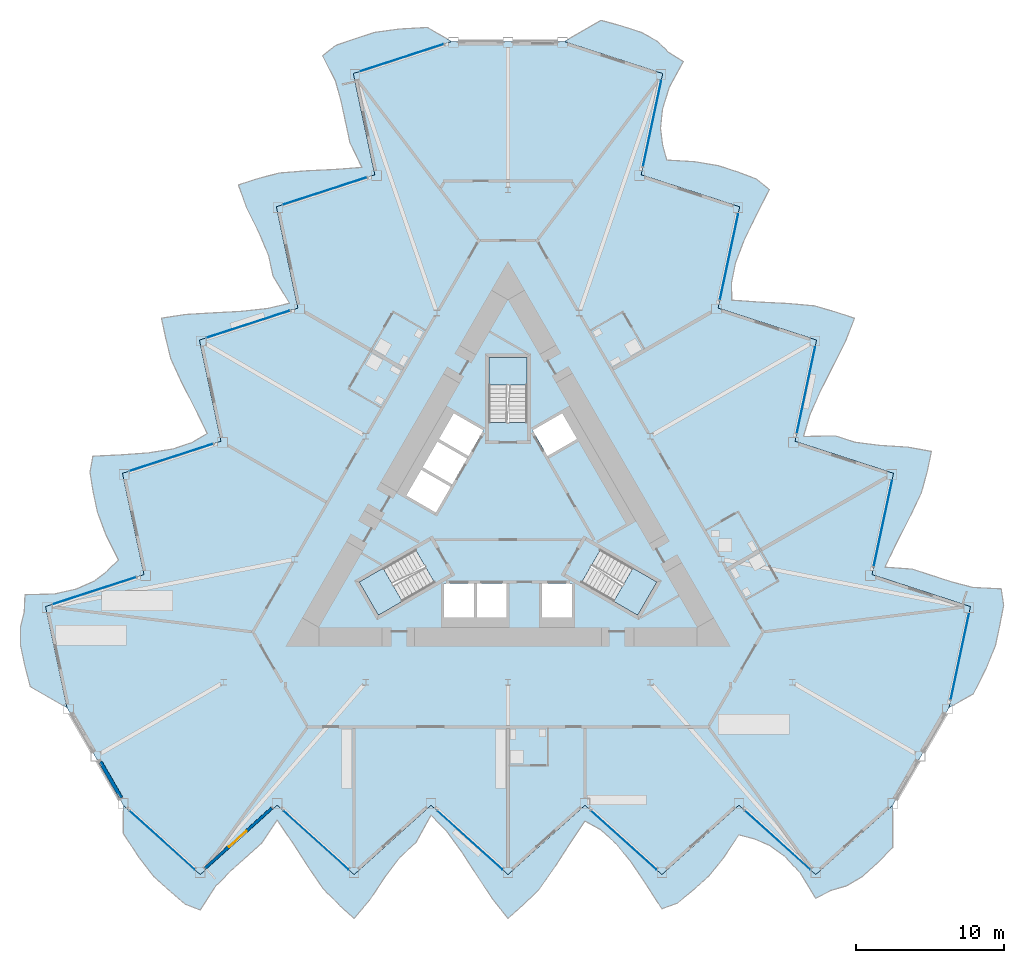
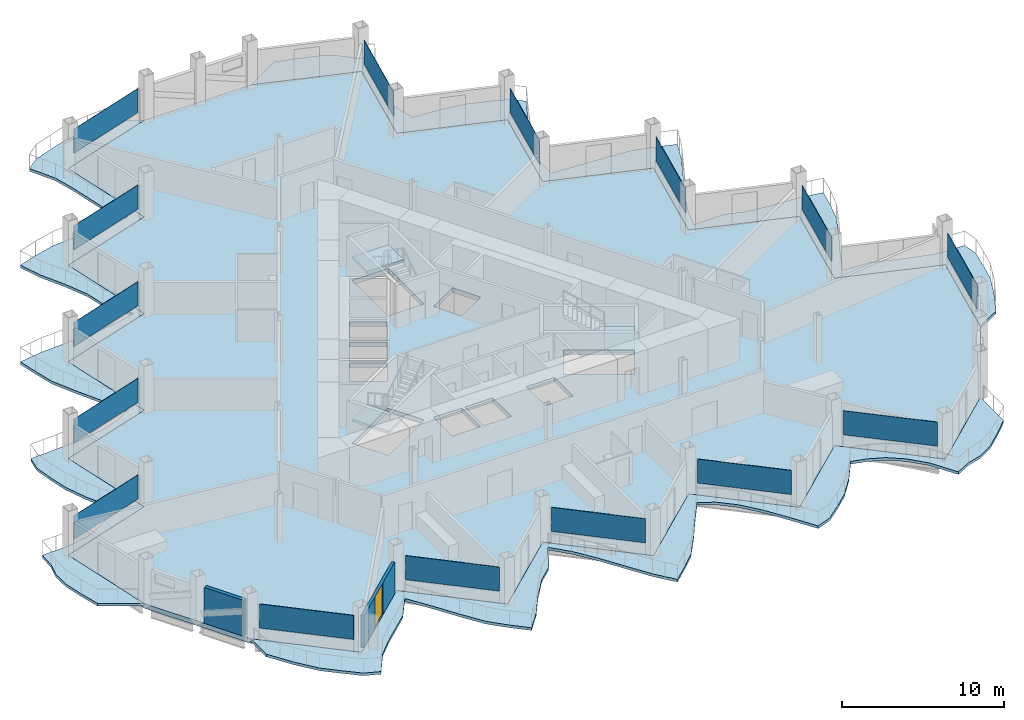
# One storey, part 10 of 24: 15 plates, 7 slabs, 2 walls, 1 door, 1 opening, 18 elements without a shape of their own.
"""IFC4 building model written with IfcOpenShell, lengths in metres."""

from ifc_helpers import new_model, si_unit, direction, frame, frame_2d, origin, origin_2d, place, context, subcontext, project, spatial, polyline, rectangle, outline, extrude, material, layer, layer_set, type_object, element, fill, aggregate, save


model = new_model("IFC4")

# Units and contexts
model_context = context("Model", 3, precision=1e-05, world=origin(), true_north=direction((0.0, 1.0)))
body_context = subcontext(model_context, "Body", "Model", "MODEL_VIEW")
ifc_project = project(units=[si_unit("LENGTHUNIT", "METRE"), si_unit("AREAUNIT", "SQUARE_METRE"), si_unit("VOLUMEUNIT", "CUBIC_METRE"), si_unit("PLANEANGLEUNIT", "RADIAN"), si_unit("MASSUNIT", "GRAM", prefix="KILO")], contexts=[model_context])

# Site, building, storey
site_placement = place(None, origin())
site = spatial("IfcSite", under=ifc_project, at=site_placement, CompositionType="ELEMENT")
building_placement = place(site_placement, origin())
building = spatial("IfcBuilding", under=site, at=building_placement, Name="Cormorant Prow Tower", CompositionType="ELEMENT")
storey_placement = place(building_placement, frame((0.0, 0.0, 274.199951171875)))
storey = spatial("IfcBuildingStorey", under=building, at=storey_placement, Name="L62", CompositionType="ELEMENT", Elevation=274.199951171875)

# Slabs
ifc_material_1 = material(Name="Concrete C40/50", Category="concrete")
ifc_layer_1 = layer(ifc_material_1, 0.199951171875)
ifc_layer_set_1 = layer_set([ifc_layer_1], Name="Concrete C40/50")
slab_type_1 = type_object("IfcSlabType", Name="Balcony slab 200", PredefinedType="FLOOR", material=ifc_layer_set_1)
slab_1_placement = place(storey_placement, frame((0.0, 0.0, -0.199951171875)))
element("IfcSlab", 1, at=slab_1_placement, inside=storey, type_object=slab_type_1, Name="Balcony slab S L62", PredefinedType="FLOOR", context=body_context, shape_type="SweptSolid", body=[
    extrude(outline(polyline([(-25.926025390625, -19.346435546875), (-25.926025390625, -21.24658203125), (-24.888916015625, -22.83154296875), (-23.85205078125, -24.1640625), (-22.81494140625, -25.097900390625), (-21.77783203125, -25.998046875), (-20.740966796875, -26.40380859375), (-19.703857421875, -24.799072265625), (-18.666748046875, -23.747802734375), (-17.629638671875, -22.81396484375), (-16.5927734375, -21.88037109375), (-15.5556640625, -20.34716796875), (-14.5185546875, -21.86474609375), (-13.4814453125, -23.474853515625), (-12.444580078125, -24.979248046875), (-11.407470703125, -26.031494140625), (-10.370361328125, -26.96533203125), (-9.33349609375, -25.74462890625), (-8.29638671875, -24.183349609375), (-7.25927734375, -22.81396484375), (-6.22216796875, -21.88037109375), (-5.185302734375, -19.997314453125), (-4.148193359375, -21.0908203125), (-3.111083984375, -22.50341796875), (-2.073974609375, -24.094970703125), (-1.037109375, -25.672607421875), (0.0, -26.96533203125), (1.037109375, -26.031494140625), (2.073974609375, -25.0361328125), (3.111083984375, -23.558837890625), (4.148193359375, -21.951416015625), (5.185302734375, -20.410888671875), (6.22216796875, -20.982666015625), (7.25927734375, -21.9052734375), (8.29638671875, -23.181640625), (9.33349609375, -24.7119140625), (10.370361328125, -26.321044921875), (11.407470703125, -25.94384765625), (12.444580078125, -25.097900390625), (13.4814453125, -24.1640625), (14.5185546875, -22.905517578125), (15.5556640625, -21.335205078125), (16.5927734375, -21.6064453125), (17.629638671875, -22.045654296875), (18.666748046875, -22.7978515625), (19.703857421875, -23.916015625), (20.740966796875, -25.615234375), (21.77783203125, -25.07568359375), (22.81494140625, -24.777587890625), (23.85205078125, -24.1640625), (24.888916015625, -23.230224609375), (25.926025390625, -22.205322265625), (25.926025390625, -19.346435546875), (24.888916015625, -20.2802734375), (23.85205078125, -21.214111328125), (22.81494140625, -22.147705078125), (21.77783203125, -23.08154296875), (20.740966796875, -24.015380859375), (19.703857421875, -23.08154296875), (18.666748046875, -22.147705078125), (17.629638671875, -21.214111328125), (16.5927734375, -20.2802734375), (15.5556640625, -19.346435546875), (14.5185546875, -20.2802734375), (13.4814453125, -21.214111328125), (12.444580078125, -22.147705078125), (11.407470703125, -23.08154296875), (10.370361328125, -24.015380859375), (9.33349609375, -23.08154296875), (8.29638671875, -22.147705078125), (7.25927734375, -21.214111328125), (6.22216796875, -20.2802734375), (5.185302734375, -19.346435546875), (4.148193359375, -20.2802734375), (3.111083984375, -21.214111328125), (2.073974609375, -22.147705078125), (1.037109375, -23.08154296875), (0.0, -24.015380859375), (-1.037109375, -23.08154296875), (-2.073974609375, -22.147705078125), (-3.111083984375, -21.214111328125), (-4.148193359375, -20.2802734375), (-5.185302734375, -19.346435546875), (-6.22216796875, -20.2802734375), (-7.25927734375, -21.214111328125), (-8.29638671875, -22.147705078125), (-9.33349609375, -23.08154296875), (-10.370361328125, -24.015380859375), (-11.407470703125, -23.08154296875), (-12.444580078125, -22.147705078125), (-13.4814453125, -21.214111328125), (-14.5185546875, -20.2802734375), (-15.5556640625, -19.346435546875), (-16.5927734375, -20.2802734375), (-17.629638671875, -21.214111328125), (-18.666748046875, -22.147705078125), (-19.703857421875, -23.08154296875), (-20.740966796875, -24.015380859375), (-21.77783203125, -23.08154296875), (-22.81494140625, -22.147705078125), (-23.85205078125, -21.214111328125), (-24.888916015625, -20.2802734375), (-25.926025390625, -19.346435546875)])), origin(), (0.0, 0.0, 1.0), 0.199951171875),
])
slab_2_placement = place(storey_placement, frame((0.0, 0.0, -0.199951171875)))
element("IfcSlab", 2, at=slab_2_placement, inside=storey, type_object=slab_type_1, Name="Balcony slab ENE L62", PredefinedType="FLOOR", context=body_context, shape_type="SweptSolid", body=[
    extrude(outline(polyline([(29.717529296875, -12.779296875), (31.363037109375, -11.829345703125), (32.21728515625, -10.138671875), (32.8525390625, -8.574462890625), (33.142822265625, -7.20947265625), (33.40380859375, -5.861083984375), (33.23681640625, -4.76025390625), (31.32861328125, -4.664306640625), (29.899658203125, -4.2919921875), (28.572509765625, -3.86083984375), (27.2451171875, -3.429443359375), (25.39892578125, -3.298095703125), (26.19482421875, -1.64111328125), (27.070556640625, 0.06201171875), (27.85498046875, 1.71240234375), (28.247802734375, 3.13671875), (28.537841796875, 4.501708984375), (26.962158203125, 4.789306640625), (25.091552734375, 4.906982421875), (23.38720703125, 5.120361328125), (22.06005859375, 5.551513671875), (19.910888671875, 5.508056640625), (20.33935546875, 6.953125), (21.044189453125, 8.557373046875), (21.90380859375, 10.251220703125), (22.75146484375, 11.938232421875), (23.3525390625, 13.482666015625), (22.025390625, 13.913818359375), (20.644775390625, 14.314208984375), (18.84716796875, 14.473876953125), (16.9365234375, 14.568115234375), (15.083740234375, 14.696044921875), (15.060546875, 15.8798828125), (15.3408203125, 17.2392578125), (15.927734375, 18.775634765625), (16.734375, 20.43896484375), (17.609375, 22.1416015625), (16.76416015625, 22.85107421875), (15.51318359375, 23.326171875), (14.185791015625, 23.75732421875), (12.57763671875, 24.0263671875), (10.698974609375, 24.13916015625), (10.415283203125, 25.1728515625), (10.27734375, 26.29052734375), (10.41015625, 27.564697265625), (10.85986328125, 29.02197265625), (11.81298828125, 30.769775390625), (10.8271484375, 31.39794921875), (10.050537109375, 32.14697265625), (9.000732421875, 32.738525390625), (7.673583984375, 33.169677734375), (6.267333984375, 33.55517578125), (3.79150390625, 32.1259765625), (5.11865234375, 31.694580078125), (6.44580078125, 31.263427734375), (7.773193359375, 30.832275390625), (9.100341796875, 30.40087890625), (10.427490234375, 29.9697265625), (10.13720703125, 28.604736328125), (9.84716796875, 27.23974609375), (9.55712890625, 25.874755859375), (9.266845703125, 24.509765625), (8.976806640625, 23.144775390625), (10.303955078125, 22.713623046875), (11.631103515625, 22.282470703125), (12.958251953125, 21.85107421875), (14.285400390625, 21.419921875), (15.612548828125, 20.98876953125), (15.322509765625, 19.623779296875), (15.032470703125, 18.2587890625), (14.7421875, 16.893798828125), (14.4521484375, 15.52880859375), (14.161865234375, 14.163818359375), (15.4892578125, 13.732666015625), (16.81640625, 13.30126953125), (18.1435546875, 12.8701171875), (19.470703125, 12.43896484375), (20.7978515625, 12.007568359375), (20.5078125, 10.642578125), (20.217529296875, 9.277587890625), (19.927490234375, 7.91259765625), (19.63720703125, 6.547607421875), (19.34716796875, 5.1826171875), (20.67431640625, 4.75146484375), (22.00146484375, 4.3203125), (23.32861328125, 3.88916015625), (24.656005859375, 3.457763671875), (25.983154296875, 3.026611328125), (25.69287109375, 1.66162109375), (25.40283203125, 0.296630859375), (25.112548828125, -1.068359375), (24.822509765625, -2.433349609375), (24.532470703125, -3.79833984375), (25.859619140625, -4.2294921875), (27.186767578125, -4.660888671875), (28.513916015625, -5.092041015625), (29.841064453125, -5.523193359375), (31.168212890625, -5.954345703125), (30.878173828125, -7.3193359375), (30.588134765625, -8.684326171875), (30.2978515625, -10.04931640625), (30.0078125, -11.414306640625), (29.717529296875, -12.779296875)])), origin(), (0.0, 0.0, 1.0), 0.199951171875),
])
slab_3_placement = place(storey_placement, frame((0.0, 0.0, -0.199951171875)))
element("IfcSlab", 3, at=slab_3_placement, inside=storey, type_object=slab_type_1, Name="Balcony slab WNW L62", PredefinedType="FLOOR", context=body_context, shape_type="SweptSolid", body=[
    extrude(outline(polyline([(-3.79150390625, 32.1259765625), (-5.43701171875, 33.075927734375), (-7.328125, 32.97021484375), (-9.000732421875, 32.738525390625), (-10.327880859375, 32.30712890625), (-11.6259765625, 31.859130859375), (-12.49609375, 31.1640625), (-11.624755859375, 29.463623046875), (-11.23291015625, 28.039794921875), (-10.942626953125, 26.6748046875), (-10.652587890625, 25.309814453125), (-9.84326171875, 23.64501953125), (-11.67626953125, 23.505859375), (-13.589111328125, 23.412841796875), (-15.410400390625, 23.266845703125), (-16.84033203125, 22.89501953125), (-18.16748046875, 22.463623046875), (-17.62890625, 20.955322265625), (-16.79541015625, 19.276611328125), (-16.1279296875, 17.69384765625), (-15.837646484375, 16.328857421875), (-14.7255859375, 14.4892578125), (-16.191162109375, 14.137939453125), (-17.93310546875, 13.946044921875), (-19.829833984375, 13.84375), (-21.714599609375, 13.734375), (-23.3525390625, 13.482666015625), (-23.0625, 12.11767578125), (-22.718994140625, 10.721923828125), (-21.958251953125, 9.085205078125), (-21.08447265625, 7.38330078125), (-20.26904296875, 5.71484375), (-21.28271484375, 5.102783203125), (-22.60009765625, 4.665771484375), (-24.22412109375, 4.406005859375), (-26.06787109375, 4.27294921875), (-27.97998046875, 4.179443359375), (-28.171630859375, 3.0927734375), (-27.95751953125, 1.771728515625), (-27.66748046875, 0.40673828125), (-27.09619140625, -1.12060546875), (-26.254638671875, -2.803955078125), (-27.008056640625, -3.56640625), (-27.906982421875, -4.244873046875), (-29.076904296875, -4.76708984375), (-30.563720703125, -5.10595703125), (-32.553955078125, -5.154541015625), (-32.605224609375, -6.322265625), (-32.865478515625, -7.36962890625), (-32.8525390625, -8.574462890625), (-32.5625, -9.939453125), (-32.193359375, -11.349853515625), (-29.717529296875, -12.779296875), (-30.0078125, -11.414306640625), (-30.2978515625, -10.04931640625), (-30.588134765625, -8.684326171875), (-30.878173828125, -7.3193359375), (-31.168212890625, -5.954345703125), (-29.841064453125, -5.523193359375), (-28.513916015625, -5.092041015625), (-27.186767578125, -4.660888671875), (-25.859619140625, -4.2294921875), (-24.532470703125, -3.79833984375), (-24.822509765625, -2.433349609375), (-25.112548828125, -1.068359375), (-25.40283203125, 0.296630859375), (-25.69287109375, 1.66162109375), (-25.983154296875, 3.026611328125), (-24.656005859375, 3.457763671875), (-23.32861328125, 3.88916015625), (-22.00146484375, 4.3203125), (-20.67431640625, 4.75146484375), (-19.34716796875, 5.1826171875), (-19.63720703125, 6.547607421875), (-19.927490234375, 7.91259765625), (-20.217529296875, 9.277587890625), (-20.5078125, 10.642578125), (-20.7978515625, 12.007568359375), (-19.470703125, 12.43896484375), (-18.1435546875, 12.8701171875), (-16.81640625, 13.30126953125), (-15.4892578125, 13.732666015625), (-14.161865234375, 14.163818359375), (-14.4521484375, 15.52880859375), (-14.7421875, 16.893798828125), (-15.032470703125, 18.2587890625), (-15.322509765625, 19.623779296875), (-15.612548828125, 20.98876953125), (-14.285400390625, 21.419921875), (-12.958251953125, 21.85107421875), (-11.631103515625, 22.282470703125), (-10.303955078125, 22.713623046875), (-8.976806640625, 23.144775390625), (-9.266845703125, 24.509765625), (-9.55712890625, 25.874755859375), (-9.84716796875, 27.23974609375), (-10.13720703125, 28.604736328125), (-10.427490234375, 29.9697265625), (-9.100341796875, 30.40087890625), (-7.773193359375, 30.832275390625), (-6.44580078125, 31.263427734375), (-5.11865234375, 31.694580078125), (-3.79150390625, 32.1259765625)])), origin(), (0.0, 0.0, 1.0), 0.199951171875),
])

# Curtain wall, plate
ifc_material_2 = material(Name="Aluminium 6063-T6", Category="aluminium")
ifc_layer_2 = layer(ifc_material_2, 0.179931640625)
ifc_layer_set_2 = layer_set([ifc_layer_2], Name="Aluminium 6063-T6")
curtain_wall_type = type_object("IfcCurtainWallType", Name="Hotel unitised curtain wall 180", PredefinedType="NOTDEFINED", material=ifc_layer_set_2)
curtain_wall_1_placement = place(storey_placement, origin())
curtain_wall_1 = element("IfcCurtainWall", 4, at=curtain_wall_1_placement, inside=storey, type_object=curtain_wall_type, Name="Hotel curtain wall S00", PredefinedType="NOTDEFINED")
ifc_material_3 = material(Name="Clear glass", Category="glass")
ifc_layer_3 = layer(ifc_material_3, 0.028076171875)
ifc_layer_set_3 = layer_set([ifc_layer_3], Name="Clear glass")
plate_type = type_object("IfcPlateType", Name="Hotel glass panel 28", PredefinedType="CURTAIN_PANEL", material=ifc_layer_set_3)
plate_1_placement = place(storey_placement, frame((-23.31103515625, -21.700927734375, 0.900146484375), z_axis=(0.0, 0.0, 1.0), x_axis=(0.743144822266, -0.669130609926, 0.0)))
plate_1 = element("IfcPlate", 5, at=plate_1_placement, type_object=plate_type, Name="Hotel glass panel S00", PredefinedType="CURTAIN_PANEL", context=body_context, shape_type="SweptSolid", body=[
    extrude(rectangle(XDim=5.915283203125, YDim=0.028076171875, at=origin_2d()), origin(), (0.0, 0.0, 1.0), 1.80078125),
])
aggregate(curtain_wall_1, [plate_1])

curtain_wall_2_placement = place(storey_placement, origin())
curtain_wall_2 = element("IfcCurtainWall", 6, at=curtain_wall_2_placement, inside=storey, type_object=curtain_wall_type, Name="Hotel curtain wall S02", PredefinedType="NOTDEFINED")
plate_2_placement = place(storey_placement, frame((-12.940673828125, -21.700927734375, 0.900146484375), z_axis=(0.0, 0.0, 1.0), x_axis=(0.743144886439, -0.669130538654, 0.0)))
plate_2 = element("IfcPlate", 7, at=plate_2_placement, type_object=plate_type, Name="Hotel glass panel S02", PredefinedType="CURTAIN_PANEL", context=body_context, shape_type="SweptSolid", body=[
    extrude(rectangle(XDim=5.915283203125, YDim=0.028076171875, at=origin_2d()), origin(), (0.0, 0.0, 1.0), 1.80078125),
])
aggregate(curtain_wall_2, [plate_2])

curtain_wall_3_placement = place(storey_placement, origin())
curtain_wall_3 = element("IfcCurtainWall", 8, at=curtain_wall_3_placement, inside=storey, type_object=curtain_wall_type, Name="Hotel curtain wall S04", PredefinedType="NOTDEFINED")
plate_3_placement = place(storey_placement, frame((-2.5703125, -21.700927734375, 0.900146484375), z_axis=(0.0, 0.0, 1.0), x_axis=(0.743144822266, -0.669130609926, 0.0)))
plate_3 = element("IfcPlate", 9, at=plate_3_placement, type_object=plate_type, Name="Hotel glass panel S04", PredefinedType="CURTAIN_PANEL", context=body_context, shape_type="SweptSolid", body=[
    extrude(rectangle(XDim=5.915283203125, YDim=0.028076171875, at=origin_2d()), origin(), (0.0, 0.0, 1.0), 1.80078125),
])
aggregate(curtain_wall_3, [plate_3])

curtain_wall_4_placement = place(storey_placement, origin())
curtain_wall_4 = element("IfcCurtainWall", 10, at=curtain_wall_4_placement, inside=storey, type_object=curtain_wall_type, Name="Hotel curtain wall S06", PredefinedType="NOTDEFINED")
plate_4_placement = place(storey_placement, frame((7.800048828125, -21.700927734375, 0.900146484375), z_axis=(0.0, 0.0, 1.0), x_axis=(0.743144822266, -0.669130609926, 0.0)))
plate_4 = element("IfcPlate", 11, at=plate_4_placement, type_object=plate_type, Name="Hotel glass panel S06", PredefinedType="CURTAIN_PANEL", context=body_context, shape_type="SweptSolid", body=[
    extrude(rectangle(XDim=5.915283203125, YDim=0.028076171875, at=origin_2d()), origin(), (0.0, 0.0, 1.0), 1.80078125),
])
aggregate(curtain_wall_4, [plate_4])

curtain_wall_5_placement = place(storey_placement, origin())
curtain_wall_5 = element("IfcCurtainWall", 12, at=curtain_wall_5_placement, inside=storey, type_object=curtain_wall_type, Name="Hotel curtain wall S08", PredefinedType="NOTDEFINED")
plate_5_placement = place(storey_placement, frame((18.170654296875, -21.700927734375, 0.900146484375), z_axis=(0.0, 0.0, 1.0), x_axis=(0.743144822266, -0.669130609926, 0.0)))
plate_5 = element("IfcPlate", 13, at=plate_5_placement, type_object=plate_type, Name="Hotel glass panel S08", PredefinedType="CURTAIN_PANEL", context=body_context, shape_type="SweptSolid", body=[
    extrude(rectangle(XDim=5.915283203125, YDim=0.028076171875, at=origin_2d()), origin(), (0.0, 0.0, 1.0), 1.80078125),
])
aggregate(curtain_wall_5, [plate_5])

curtain_wall_6_placement = place(storey_placement, origin())
curtain_wall_6 = element("IfcCurtainWall", 14, at=curtain_wall_6_placement, inside=storey, type_object=curtain_wall_type, Name="Hotel curtain wall ENE00", PredefinedType="NOTDEFINED")
plate_6_placement = place(storey_placement, frame((30.44921875, -9.337646484375, 0.900146484375), z_axis=(0.0, 0.0, 1.0), x_axis=(0.207911705739, 0.978147597562, 0.0)))
plate_6 = element("IfcPlate", 15, at=plate_6_placement, type_object=plate_type, Name="Hotel glass panel ENE00", PredefinedType="CURTAIN_PANEL", context=body_context, shape_type="SweptSolid", body=[
    extrude(rectangle(XDim=5.915283203125, YDim=0.028076171875, at=origin_2d()), origin(), (0.0, 0.0, 1.0), 1.80078125),
])
aggregate(curtain_wall_6, [plate_6])

curtain_wall_7_placement = place(storey_placement, origin())
curtain_wall_7 = element("IfcCurtainWall", 16, at=curtain_wall_7_placement, inside=storey, type_object=curtain_wall_type, Name="Hotel curtain wall ENE02", PredefinedType="NOTDEFINED")
plate_7_placement = place(storey_placement, frame((25.263916015625, -0.3564453125, 0.900146484375), z_axis=(0.0, 0.0, 1.0), x_axis=(0.207911705739, 0.978147597562, 0.0)))
plate_7 = element("IfcPlate", 17, at=plate_7_placement, type_object=plate_type, Name="Hotel glass panel ENE02", PredefinedType="CURTAIN_PANEL", context=body_context, shape_type="SweptSolid", body=[
    extrude(rectangle(XDim=5.915283203125, YDim=0.028076171875, at=origin_2d()), origin(), (0.0, 0.0, 1.0), 1.80078125),
])
aggregate(curtain_wall_7, [plate_7])

curtain_wall_8_placement = place(storey_placement, origin())
curtain_wall_8 = element("IfcCurtainWall", 18, at=curtain_wall_8_placement, inside=storey, type_object=curtain_wall_type, Name="Hotel curtain wall ENE04", PredefinedType="NOTDEFINED")
plate_8_placement = place(storey_placement, frame((20.078857421875, 8.62451171875, 0.900146484375), z_axis=(0.0, 0.0, 1.0), x_axis=(0.207911705739, 0.978147597562, 0.0)))
plate_8 = element("IfcPlate", 19, at=plate_8_placement, type_object=plate_type, Name="Hotel glass panel ENE04", PredefinedType="CURTAIN_PANEL", context=body_context, shape_type="SweptSolid", body=[
    extrude(rectangle(XDim=5.915283203125, YDim=0.028076171875, at=origin_2d()), origin(), (0.0, 0.0, 1.0), 1.80078125),
])
aggregate(curtain_wall_8, [plate_8])

curtain_wall_9_placement = place(storey_placement, origin())
curtain_wall_9 = element("IfcCurtainWall", 20, at=curtain_wall_9_placement, inside=storey, type_object=curtain_wall_type, Name="Hotel curtain wall ENE06", PredefinedType="NOTDEFINED")
plate_9_placement = place(storey_placement, frame((14.8935546875, 17.60546875, 0.900146484375), z_axis=(0.0, 0.0, 1.0), x_axis=(0.207911676597, 0.978147603757, 0.0)))
plate_9 = element("IfcPlate", 21, at=plate_9_placement, type_object=plate_type, Name="Hotel glass panel ENE06", PredefinedType="CURTAIN_PANEL", context=body_context, shape_type="SweptSolid", body=[
    extrude(rectangle(XDim=5.915283203125, YDim=0.028076171875, at=origin_2d()), origin(), (0.0, 0.0, 1.0), 1.80078125),
])
aggregate(curtain_wall_9, [plate_9])

curtain_wall_10_placement = place(storey_placement, origin())
curtain_wall_10 = element("IfcCurtainWall", 22, at=curtain_wall_10_placement, inside=storey, type_object=curtain_wall_type, Name="Hotel curtain wall ENE08", PredefinedType="NOTDEFINED")
plate_10_placement = place(storey_placement, frame((9.708251953125, 26.586669921875, 0.900146484375), z_axis=(0.0, 0.0, 1.0), x_axis=(0.207911705739, 0.978147597562, 0.0)))
plate_10 = element("IfcPlate", 23, at=plate_10_placement, type_object=plate_type, Name="Hotel glass panel ENE08", PredefinedType="CURTAIN_PANEL", context=body_context, shape_type="SweptSolid", body=[
    extrude(rectangle(XDim=5.915283203125, YDim=0.028076171875, at=origin_2d()), origin(), (0.0, 0.0, 1.0), 1.80078125),
])
aggregate(curtain_wall_10, [plate_10])

curtain_wall_11_placement = place(storey_placement, origin())
curtain_wall_11 = element("IfcCurtainWall", 24, at=curtain_wall_11_placement, inside=storey, type_object=curtain_wall_type, Name="Hotel curtain wall WNW00", PredefinedType="NOTDEFINED")
plate_11_placement = place(storey_placement, frame((-7.137939453125, 31.03857421875, 0.900146484375), z_axis=(0.0, 0.0, 1.0), x_axis=(-0.95105651684, -0.309016992698, 0.0)))
plate_11 = element("IfcPlate", 25, at=plate_11_placement, type_object=plate_type, Name="Hotel glass panel WNW00", PredefinedType="CURTAIN_PANEL", context=body_context, shape_type="SweptSolid", body=[
    extrude(rectangle(XDim=5.915283203125, YDim=0.028076171875, at=origin_2d()), origin(), (0.0, 0.0, 1.0), 1.80078125),
])
aggregate(curtain_wall_11, [plate_11])

curtain_wall_12_placement = place(storey_placement, origin())
curtain_wall_12 = element("IfcCurtainWall", 26, at=curtain_wall_12_placement, inside=storey, type_object=curtain_wall_type, Name="Hotel curtain wall WNW02", PredefinedType="NOTDEFINED")
plate_12_placement = place(storey_placement, frame((-12.3232421875, 22.0576171875, 0.900146484375), z_axis=(0.0, 0.0, 1.0), x_axis=(-0.95105651684, -0.309016992698, 0.0)))
plate_12 = element("IfcPlate", 27, at=plate_12_placement, type_object=plate_type, Name="Hotel glass panel WNW02", PredefinedType="CURTAIN_PANEL", context=body_context, shape_type="SweptSolid", body=[
    extrude(rectangle(XDim=5.915283203125, YDim=0.028076171875, at=origin_2d()), origin(), (0.0, 0.0, 1.0), 1.80078125),
])
aggregate(curtain_wall_12, [plate_12])

curtain_wall_13_placement = place(storey_placement, origin())
curtain_wall_13 = element("IfcCurtainWall", 28, at=curtain_wall_13_placement, inside=storey, type_object=curtain_wall_type, Name="Hotel curtain wall WNW04", PredefinedType="NOTDEFINED")
plate_13_placement = place(storey_placement, frame((-17.508544921875, 13.076416015625, 0.900146484375), z_axis=(0.0, 0.0, 1.0), x_axis=(-0.95105651684, -0.309016992698, 0.0)))
plate_13 = element("IfcPlate", 29, at=plate_13_placement, type_object=plate_type, Name="Hotel glass panel WNW04", PredefinedType="CURTAIN_PANEL", context=body_context, shape_type="SweptSolid", body=[
    extrude(rectangle(XDim=5.915283203125, YDim=0.028076171875, at=origin_2d()), origin(), (0.0, 0.0, 1.0), 1.80078125),
])
aggregate(curtain_wall_13, [plate_13])

curtain_wall_14_placement = place(storey_placement, origin())
curtain_wall_14 = element("IfcCurtainWall", 30, at=curtain_wall_14_placement, inside=storey, type_object=curtain_wall_type, Name="Hotel curtain wall WNW06", PredefinedType="NOTDEFINED")
plate_14_placement = place(storey_placement, frame((-22.693603515625, 4.095458984375, 0.900146484375), z_axis=(0.0, 0.0, 1.0), x_axis=(-0.95105651684, -0.309016992698, 0.0)))
plate_14 = element("IfcPlate", 31, at=plate_14_placement, type_object=plate_type, Name="Hotel glass panel WNW06", PredefinedType="CURTAIN_PANEL", context=body_context, shape_type="SweptSolid", body=[
    extrude(rectangle(XDim=5.915283203125, YDim=0.028076171875, at=origin_2d()), origin(), (0.0, 0.0, 1.0), 1.80078125),
])
aggregate(curtain_wall_14, [plate_14])

curtain_wall_15_placement = place(storey_placement, origin())
curtain_wall_15 = element("IfcCurtainWall", 32, at=curtain_wall_15_placement, inside=storey, type_object=curtain_wall_type, Name="Hotel curtain wall WNW08", PredefinedType="NOTDEFINED")
plate_15_placement = place(storey_placement, frame((-27.87890625, -4.8857421875, 0.900146484375), z_axis=(0.0, 0.0, 1.0), x_axis=(-0.95105651684, -0.309016992698, 0.0)))
plate_15 = element("IfcPlate", 33, at=plate_15_placement, type_object=plate_type, Name="Hotel glass panel WNW08", PredefinedType="CURTAIN_PANEL", context=body_context, shape_type="SweptSolid", body=[
    extrude(rectangle(XDim=5.915283203125, YDim=0.028076171875, at=origin_2d()), origin(), (0.0, 0.0, 1.0), 1.80078125),
])
aggregate(curtain_wall_15, [plate_15])

# Slab
ifc_material_4 = material(Name="Concrete C40/50", Category="concrete")
ifc_layer_4 = layer(ifc_material_4, 0.35009765625)
ifc_layer_set_4 = layer_set([ifc_layer_4], Name="Concrete C40/50")
slab_type_2 = type_object("IfcSlabType", Name="Post-tensioned flat slab 350", PredefinedType="FLOOR", material=ifc_layer_set_4)
slab_4_placement = place(storey_placement, frame((0.0, 0.0, -0.349853515625)))
element("IfcSlab", 34, at=slab_4_placement, inside=storey, type_object=slab_type_2, Name="Floor slab L62", PredefinedType="FLOOR", context=body_context, shape_type="SweptSolid", body=[
    extrude(outline(polyline([(-8.976806640625, 23.144775390625), (-15.612548828125, 20.98876953125), (-14.161865234375, 14.163818359375), (-20.7978515625, 12.007568359375), (-19.34716796875, 5.1826171875), (-25.983154296875, 3.026611328125), (-24.532470703125, -3.79833984375), (-31.168212890625, -5.954345703125), (-29.717529296875, -12.779296875), (-27.82177734375, -16.06298828125), (-25.926025390625, -19.346435546875), (-20.740966796875, -24.015380859375), (-15.5556640625, -19.346435546875), (-10.370361328125, -24.015380859375), (-5.185302734375, -19.346435546875), (0.0, -24.015380859375), (5.185302734375, -19.346435546875), (10.370361328125, -24.015380859375), (15.5556640625, -19.346435546875), (20.740966796875, -24.015380859375), (25.926025390625, -19.346435546875), (27.82177734375, -16.06298828125), (29.717529296875, -12.779296875), (31.168212890625, -5.954345703125), (24.532470703125, -3.79833984375), (25.983154296875, 3.026611328125), (19.34716796875, 5.1826171875), (20.7978515625, 12.007568359375), (14.161865234375, 14.163818359375), (15.612548828125, 20.98876953125), (8.976806640625, 23.144775390625), (10.427490234375, 29.9697265625), (3.79150390625, 32.1259765625), (0.0, 32.1259765625), (-3.79150390625, 32.1259765625), (-10.427490234375, 29.9697265625), (-8.976806640625, 23.144775390625)]), holes=[polyline([(-4.300048828125, -4.39990234375), (-2.300048828125, -4.39990234375), (-2.300048828125, -6.699951171875), (-4.300048828125, -6.699951171875), (-4.300048828125, -4.39990234375)]), polyline([(-0.10009765625, -4.39990234375), (-0.10009765625, -6.699951171875), (-2.10009765625, -6.699951171875), (-2.10009765625, -4.39990234375), (-0.10009765625, -4.39990234375)]), polyline([(4.300048828125, -6.699951171875), (2.300048828125, -6.699951171875), (2.300048828125, -4.39990234375), (4.300048828125, -4.39990234375), (4.300048828125, -6.699951171875)]), polyline([(4.65234375, 5.341796875), (2.660400390625, 4.19189453125), (1.660400390625, 5.923828125), (3.65234375, 7.073974609375), (4.65234375, 5.341796875)]), polyline([(-1.660400390625, 5.923828125), (-2.660400390625, 4.19189453125), (-4.65234375, 5.341796875), (-3.65234375, 7.073974609375), (-1.660400390625, 5.923828125)]), polyline([(-3.760498046875, 2.28662109375), (-5.75244140625, 3.4365234375), (-4.75244140625, 5.168701171875), (-2.760498046875, 4.018798828125), (-3.760498046875, 2.28662109375)]), polyline([(-6.852294921875, 1.53125), (-5.852294921875, 3.263427734375), (-3.860595703125, 2.11328125), (-4.860595703125, 0.38134765625), (-6.852294921875, 1.53125)]), polyline([(-4.947509765625, -4.3505859375), (-8.738037109375, -6.5390625), (-10.031982421875, -4.2978515625), (-6.241455078125, -2.109375), (-4.947509765625, -4.3505859375)]), polyline([(10.031982421875, -4.2978515625), (8.738037109375, -6.5390625), (4.947509765625, -4.3505859375), (6.241455078125, -2.109375), (10.031982421875, -4.2978515625)]), polyline([(1.2939453125, 10.8369140625), (1.2939453125, 6.459716796875), (-1.2939453125, 6.459716796875), (-1.2939453125, 10.8369140625), (1.2939453125, 10.8369140625)])]), origin(), (0.0, 0.0, 1.0), 0.349853515625),
])

# Stair, slab
ifc_material_5 = material(Name="Exit stair 20 risers")
stair_type = type_object("IfcStairType", Name="Exit stair 20 risers", PredefinedType="HALF_TURN_STAIR", material=ifc_material_5)
stair_1_placement = place(storey_placement, origin())
stair_1 = element("IfcStair", 35, at=stair_1_placement, inside=storey, type_object=stair_type, Name="L62 Exit stair ST1", PredefinedType="HALF_TURN_STAIR")
ifc_material_6 = material(Name="Concrete 5000 psi", Category="concrete")
ifc_layer_5 = layer(ifc_material_6, 0.199951171875)
ifc_layer_set_5 = layer_set([ifc_layer_5], Name="Concrete 5000 psi")
slab_type_3 = type_object("IfcSlabType", Name="Stair landing 200", PredefinedType="LANDING", material=ifc_layer_set_5)
slab_5_placement = place(storey_placement, frame((0.0, 0.0, 1.60009765625)))
slab_5 = element("IfcSlab", 36, at=slab_5_placement, type_object=slab_type_3, Name="ST1 landing 1", PredefinedType="LANDING", context=body_context, shape_type="SweptSolid", body=[
    extrude(outline(polyline([(-8.416748046875, -3.365234375), (-10.031982421875, -4.2978515625), (-8.738037109375, -6.5390625), (-7.122802734375, -5.6064453125), (-8.416748046875, -3.365234375)])), origin(), (0.0, 0.0, 1.0), 0.199951171875),
])
aggregate(stair_1, [slab_5])

stair_2_placement = place(storey_placement, origin())
stair_2 = element("IfcStair", 37, at=stair_2_placement, inside=storey, type_object=stair_type, Name="L62 Exit stair ST2", PredefinedType="HALF_TURN_STAIR")
slab_6_placement = place(storey_placement, frame((0.0, 0.0, 1.60009765625)))
slab_6 = element("IfcSlab", 38, at=slab_6_placement, type_object=slab_type_3, Name="ST2 landing 1", PredefinedType="LANDING", context=body_context, shape_type="SweptSolid", body=[
    extrude(outline(polyline([(7.122802734375, -5.6064453125), (8.738037109375, -6.5390625), (10.031982421875, -4.2978515625), (8.416748046875, -3.365234375), (7.122802734375, -5.6064453125)])), origin(), (0.0, 0.0, 1.0), 0.199951171875),
])
aggregate(stair_2, [slab_6])

stair_3_placement = place(storey_placement, origin())
stair_3 = element("IfcStair", 39, at=stair_3_placement, inside=storey, type_object=stair_type, Name="L62 Exit stair ST3", PredefinedType="HALF_TURN_STAIR")
slab_7_placement = place(storey_placement, frame((0.0, 0.0, 1.60009765625)))
slab_7 = element("IfcSlab", 40, at=slab_7_placement, type_object=slab_type_3, Name="ST3 landing 1", PredefinedType="LANDING", context=body_context, shape_type="SweptSolid", body=[
    extrude(outline(polyline([(1.2939453125, 8.971923828125), (1.2939453125, 10.8369140625), (-1.2939453125, 10.8369140625), (-1.2939453125, 8.971923828125), (1.2939453125, 8.971923828125)])), origin(), (0.0, 0.0, 1.0), 0.199951171875),
])
aggregate(stair_3, [slab_7])

# Wall
ifc_material_7 = material(Name="Terracotta", Category="masonry")
ifc_layer_6 = layer(ifc_material_7, 0.25)
ifc_layer_set_6 = layer_set([ifc_layer_6], Name="Terracotta")
wall_type_1 = type_object("IfcWallType", Name="Terracotta bay wall 250", PredefinedType="SOLIDWALL", material=ifc_layer_set_6)
wall_1_placement = place(storey_placement, frame((-27.47607421875, -16.41162109375, 0.0), z_axis=(0.0, 0.0, 1.0), x_axis=(0.49996263964, -0.866046972724, 0.0)))
element("IfcWall", 41, at=wall_1_placement, inside=storey, type_object=wall_type_1, Name="Terracotta bay wall WSW01", PredefinedType="SOLIDWALL", context=body_context, shape_type="SweptSolid", body=[
    extrude(rectangle(XDim=2.815673828125, YDim=0.25, at=frame_2d((1.40771484375, 0.0))), origin(), (0.0, 0.0, 1.0), 2.700927734375),
])

# Wall, opening, door
ifc_material_8 = material(Name="Terracotta", Category="masonry")
ifc_layer_7 = layer(ifc_material_8, 0.199951171875)
ifc_layer_set_7 = layer_set([ifc_layer_7], Name="Terracotta")
wall_type_2 = type_object("IfcWallType", Name="Terracotta jamb wall 200", PredefinedType="SOLIDWALL", material=ifc_layer_set_7)
wall_2_placement = place(storey_placement, frame((-20.435546875, -23.605712890625, 0.0), z_axis=(0.0, 0.0, 1.0), x_axis=(0.743162414049, 0.669111071755, 0.0)))
wall_2 = element("IfcWall", 42, at=wall_2_placement, inside=storey, type_object=wall_type_2, Name="Terracotta jamb wall S01", PredefinedType="SOLIDWALL", context=body_context, shape_type="SweptSolid", body=[
    extrude(rectangle(XDim=6.082763671875, YDim=0.199951171875, at=frame_2d((3.04150390625, 0.0))), origin(), (0.0, 0.0, 1.0), 2.404296875),
])
opening_placement = place(wall_2_placement, frame((2.187744140625, 0.0, 0.0)))
opening = element("IfcOpeningElement", 43, at=opening_placement, cuts=wall_2, Name="Opening ED62.01", PredefinedType="OPENING", context=body_context, shape_type="SweptSolid", body=[
    extrude(rectangle(XDim=1.60009765625, YDim=2.39990234375, at=frame_2d((0.800048828125, 1.199951171875))), frame((0.0, 0.10986328125, 0.0), z_axis=(0.0, -1.0, 0.0), x_axis=(1.0, 0.0, 0.0)), (0.0, 0.0, 1.0), 0.219970703125),
])
ifc_material_9 = material(Name="Aluminium 6063-T6", Category="aluminium")
door_type = type_object("IfcDoorType", Name="Balcony door 1600x2400", OperationType="DOUBLE_DOOR_SINGLE_SWING", PredefinedType="DOOR", material=ifc_material_9)
door_placement = place(opening_placement, origin())
door = element("IfcDoor", 44, at=door_placement, inside=storey, type_object=door_type, Name="Balcony door S01 ED62.01", OperationType="DOUBLE_DOOR_SINGLE_SWING", OverallHeight=2.39990234375, OverallWidth=1.60009765625, PredefinedType="DOOR", context=body_context, shape_type="SweptSolid", body=[
    extrude(rectangle(XDim=1.60009765625, YDim=2.39990234375, at=frame_2d((0.800048828125, 1.199951171875))), frame((0.0, 0.02490234375, 0.0), z_axis=(0.0, -1.0, 0.0), x_axis=(1.0, 0.0, 0.0)), (0.0, 0.0, 1.0), 0.050048828125),
])
fill(opening, door)

save(model, "model.ifc")
